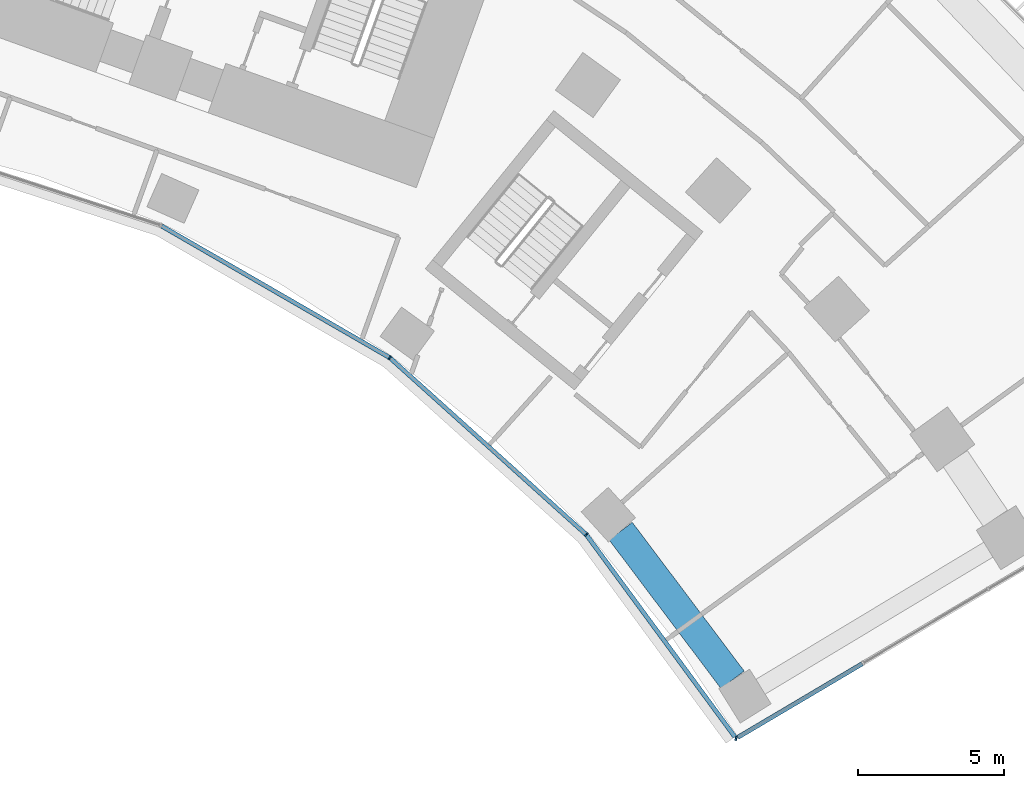
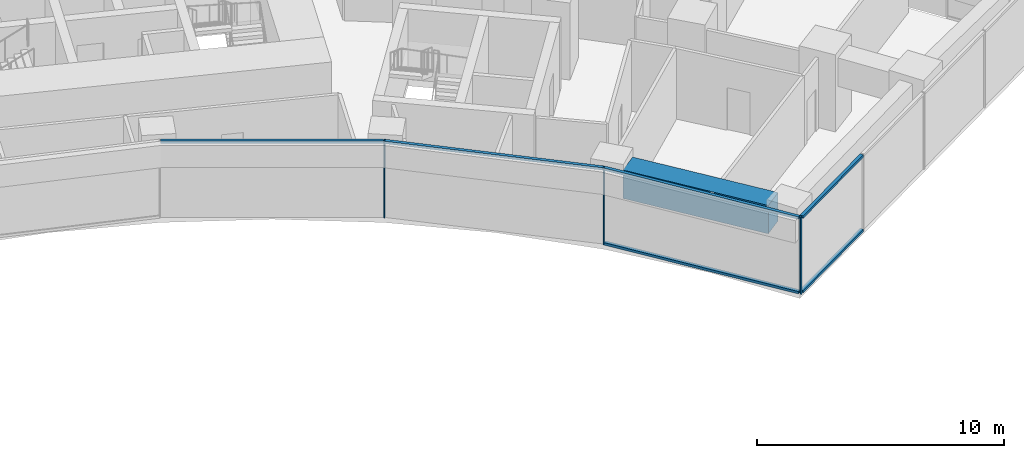
# One storey, part 9 of 24: 9 members, 1 beam, 2 elements without a shape of their own.
"""IFC4 building model written with IfcOpenShell, lengths in metres."""

from ifc_helpers import new_model, si_unit, direction, frame, origin, origin_2d, place, context, subcontext, project, spatial, rectangle, extrude, material, layer, layer_set, material_profile, profile_set, type_object, element, aggregate, save


model = new_model("IFC4")

# Units and contexts
model_context = context("Model", 3, precision=1e-05, world=origin(), true_north=direction((0.0, 1.0)))
body_context = subcontext(model_context, "Body", "Model", "MODEL_VIEW")
ifc_project = project(units=[si_unit("LENGTHUNIT", "METRE"), si_unit("AREAUNIT", "SQUARE_METRE"), si_unit("VOLUMEUNIT", "CUBIC_METRE"), si_unit("PLANEANGLEUNIT", "RADIAN"), si_unit("MASSUNIT", "GRAM", prefix="KILO")], contexts=[model_context])

# Site, building, storey
site_placement = place(None, origin())
site = spatial("IfcSite", under=ifc_project, at=site_placement, CompositionType="ELEMENT")
building_placement = place(site_placement, origin())
building = spatial("IfcBuilding", under=site, at=building_placement, Name="Stone Belt Terrace Tower", CompositionType="ELEMENT")
storey_placement = place(building_placement, frame((0.0, 0.0, 41.39990234375)))
storey = spatial("IfcBuildingStorey", under=building, at=storey_placement, Name="L09", CompositionType="ELEMENT", Elevation=41.39990234375)

# Curtain wall, members
ifc_material_1 = material(Name="Aluminium 6063-T6 anodised frame", Category="aluminium")
ifc_layer_1 = layer(ifc_material_1, 0.14990234375)
ifc_layer_set_1 = layer_set([ifc_layer_1], Name="CW-B unitised concave-face curtain wall")
curtain_wall_type_1 = type_object("IfcCurtainWallType", Name="CW-B unitised concave-face curtain wall", PredefinedType="NOTDEFINED", material=ifc_layer_set_1)
curtain_wall_1_placement = place(storey_placement, origin())
curtain_wall_1 = element("IfcCurtainWall", 1, at=curtain_wall_1_placement, inside=storey, type_object=curtain_wall_type_1, Name="CW-B concave face L09", PredefinedType="NOTDEFINED")
ifc_material_profile_1 = material_profile(ifc_material_1, rectangle(XDim=0.14990234375, YDim=0.050048828125, at=origin_2d()), Name="Aluminium 6063-T6 50x150")
ifc_profile_set_1 = profile_set([ifc_material_profile_1], Name="Aluminium 6063-T6 anodised frame")
member_type_1 = type_object("IfcMemberType", Name="CW-B mullion 50 x 150", PredefinedType="MULLION", material=ifc_profile_set_1)
member_1_placement = place(storey_placement, frame((25.5244140625, 35.13134765625, 0.0), z_axis=(0.0, 0.0, 1.0), x_axis=(0.587785252292, 0.809016994375, 0.0)))
member_1 = element("IfcMember", 2, at=member_1_placement, type_object=member_type_1, Name="CW-B mullion 9", PredefinedType="MULLION", context=body_context, shape_type="SweptSolid", body=[
    extrude(rectangle(XDim=0.14990234375, YDim=0.050048828125, at=origin_2d()), origin(), (0.0, 0.0, 1.0), 3.800048828125),
])
member_2_placement = place(storey_placement, frame((32.27099609375, 29.056640625, 0.0), z_axis=(0.0, 0.0, 1.0), x_axis=(0.741329775891, 0.671140941515, 0.0)))
member_2 = element("IfcMember", 3, at=member_2_placement, type_object=member_type_1, Name="CW-B mullion 10", PredefinedType="MULLION", context=body_context, shape_type="SweptSolid", body=[
    extrude(rectangle(XDim=0.14990234375, YDim=0.050048828125, at=origin_2d()), origin(), (0.0, 0.0, 1.0), 3.800048828125),
])
ifc_material_profile_2 = material_profile(ifc_material_1, rectangle(XDim=0.14990234375, YDim=0.1201171875, at=origin_2d()), Name="Aluminium 6063-T6 150x120")
ifc_profile_set_2 = profile_set([ifc_material_profile_2], Name="Aluminium 6063-T6 anodised frame")
member_type_2 = type_object("IfcMemberType", Name="CW-B transom 120 x 150", PredefinedType="USERDEFINED", material=ifc_profile_set_2)
member_3_placement = place(storey_placement, frame((17.690673828125, 39.654052734375, 3.739990234375), z_axis=(0.866019133895, -0.500010859609, 0.0), x_axis=(0.500010859609, 0.866019133895, 0.0)))
member_3 = element("IfcMember", 4, at=member_3_placement, type_object=member_type_2, Name="CW-B transom 8.1", ObjectType="TRANSOM", PredefinedType="USERDEFINED", context=body_context, shape_type="SweptSolid", body=[
    extrude(rectangle(XDim=0.14990234375, YDim=0.1201171875, at=origin_2d()), origin(), (0.0, 0.0, 1.0), 9.012939453125),
])
member_4_placement = place(storey_placement, frame((25.548583984375, 35.109375, 3.739990234375), z_axis=(0.74315136283, -0.669123345822, 0.0), x_axis=(0.669123345822, 0.74315136283, 0.0)))
member_4 = element("IfcMember", 5, at=member_4_placement, type_object=member_type_2, Name="CW-B transom 9.1", ObjectType="TRANSOM", PredefinedType="USERDEFINED", context=body_context, shape_type="SweptSolid", body=[
    extrude(rectangle(XDim=0.14990234375, YDim=0.1201171875, at=origin_2d()), origin(), (0.0, 0.0, 1.0), 9.01318359375),
])
member_5_placement = place(storey_placement, frame((32.2900390625, 29.0302734375, 0.06005859375), z_axis=(0.592180847905, -0.805805090189, 0.0), x_axis=(0.805805090189, 0.592180847905, 0.0)))
member_5 = element("IfcMember", 6, at=member_5_placement, type_object=member_type_2, Name="CW-B transom 10.1", ObjectType="TRANSOM", PredefinedType="USERDEFINED", context=body_context, shape_type="SweptSolid", body=[
    extrude(rectangle(XDim=0.14990234375, YDim=0.1201171875, at=origin_2d()), origin(), (0.0, 0.0, 1.0), 8.583984375),
])
member_6_placement = place(storey_placement, frame((32.2900390625, 29.0302734375, 3.739990234375), z_axis=(0.592180847905, -0.805805090189, 0.0), x_axis=(0.805805090189, 0.592180847905, 0.0)))
member_6 = element("IfcMember", 7, at=member_6_placement, type_object=member_type_2, Name="CW-B transom 10.2", ObjectType="TRANSOM", PredefinedType="USERDEFINED", context=body_context, shape_type="SweptSolid", body=[
    extrude(rectangle(XDim=0.14990234375, YDim=0.1201171875, at=origin_2d()), origin(), (0.0, 0.0, 1.0), 8.583984375),
])
aggregate(curtain_wall_1, [member_1, member_2, member_3, member_4, member_5, member_6])

ifc_layer_2 = layer(ifc_material_1, 0.14990234375)
ifc_layer_set_2 = layer_set([ifc_layer_2], Name="CW-C stick curtain wall, horn ends and notches")
curtain_wall_type_2 = type_object("IfcCurtainWallType", Name="CW-C stick curtain wall, horn ends and notches", PredefinedType="NOTDEFINED", material=ifc_layer_set_2)
curtain_wall_2_placement = place(storey_placement, origin())
curtain_wall_2 = element("IfcCurtainWall", 8, at=curtain_wall_2_placement, inside=storey, type_object=curtain_wall_type_2, Name="CW-C end face L09", PredefinedType="NOTDEFINED")
ifc_material_profile_3 = material_profile(ifc_material_1, rectangle(XDim=0.14990234375, YDim=0.06005859375, at=origin_2d()), Name="Aluminium 6063-T6 60x150")
ifc_profile_set_3 = profile_set([ifc_material_profile_3], Name="Aluminium 6063-T6 anodised frame")
member_type_3 = type_object("IfcMemberType", Name="CW-C mullion 60 x 150", PredefinedType="MULLION", material=ifc_profile_set_3)
member_7_placement = place(storey_placement, frame((37.4140625, 22.0576171875, 0.0), z_axis=(0.0, 0.0, 1.0), x_axis=(0.199957039009, 0.979804665508, 0.0)))
member_7 = element("IfcMember", 9, at=member_7_placement, type_object=member_type_3, Name="CW-C mullion 1", PredefinedType="MULLION", context=body_context, shape_type="SweptSolid", body=[
    extrude(rectangle(XDim=0.14990234375, YDim=0.06005859375, at=origin_2d()), origin(), (0.0, 0.0, 1.0), 3.800048828125),
])
ifc_material_profile_4 = material_profile(ifc_material_1, rectangle(XDim=0.14990234375, YDim=0.1201171875, at=origin_2d()), Name="Aluminium 6063-T6 150x120")
ifc_profile_set_4 = profile_set([ifc_material_profile_4], Name="Aluminium 6063-T6 anodised frame")
member_type_4 = type_object("IfcMemberType", Name="CW-C transom 120 x 150", PredefinedType="USERDEFINED", material=ifc_profile_set_4)
member_8_placement = place(storey_placement, frame((37.4765625, 22.0947265625, 0.06005859375), z_axis=(0.860562168261, 0.509345417725, 0.0), x_axis=(-0.509345417725, 0.860562168261, 0.0)))
member_8 = element("IfcMember", 10, at=member_8_placement, type_object=member_type_4, Name="CW-C transom 1.1", ObjectType="TRANSOM", PredefinedType="USERDEFINED", context=body_context, shape_type="SweptSolid", body=[
    extrude(rectangle(XDim=0.14990234375, YDim=0.1201171875, at=origin_2d()), origin(), (0.0, 0.0, 1.0), 4.96533203125),
])
member_9_placement = place(storey_placement, frame((37.4765625, 22.0947265625, 3.739990234375), z_axis=(0.860562168261, 0.509345417725, 0.0), x_axis=(-0.509345417725, 0.860562168261, 0.0)))
member_9 = element("IfcMember", 11, at=member_9_placement, type_object=member_type_4, Name="CW-C transom 1.2", ObjectType="TRANSOM", PredefinedType="USERDEFINED", context=body_context, shape_type="SweptSolid", body=[
    extrude(rectangle(XDim=0.14990234375, YDim=0.1201171875, at=origin_2d()), origin(), (0.0, 0.0, 1.0), 4.96533203125),
])
aggregate(curtain_wall_2, [member_7, member_8, member_9])

# Beam
ifc_material_2 = material(Name="Concrete B80", Category="concrete")
ifc_material_profile_5 = material_profile(ifc_material_2, rectangle(XDim=1.0, YDim=1.39990234375, at=origin_2d()), Name="RC 1000x1400")
ifc_profile_set_5 = profile_set([ifc_material_profile_5], Name="Concrete B80")
beam_type = type_object("IfcBeamType", Name="Transfer beam RC 1000x1400 B80", PredefinedType="BEAM", material=ifc_profile_set_5)
beam_placement = place(storey_placement, frame((33.45166015625, 29.177978515625, 2.780029296875), z_axis=(0.60137420711, -0.798967498102, 0.0), x_axis=(0.798967498102, 0.60137420711, 0.0)))
element("IfcBeam", 12, at=beam_placement, inside=storey, type_object=beam_type, Name="Transfer beam L09 PP30-PB", PredefinedType="BEAM", context=body_context, shape_type="SweptSolid", body=[
    extrude(rectangle(XDim=1.0, YDim=1.39990234375, at=origin_2d()), origin(), (0.0, 0.0, 1.0), 6.3916015625),
])

save(model, "model.ifc")
